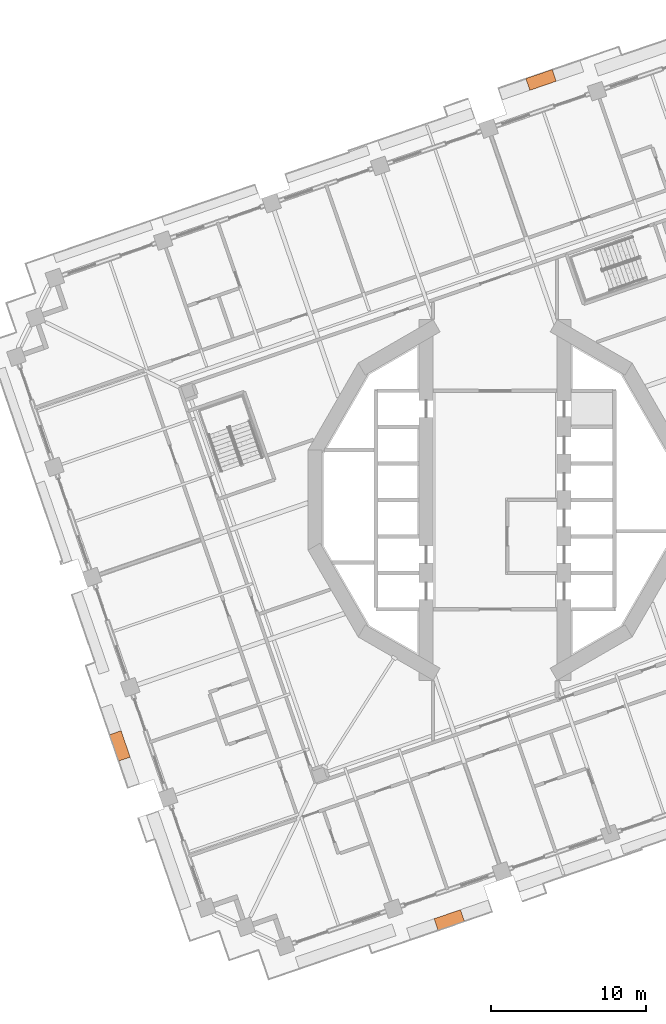
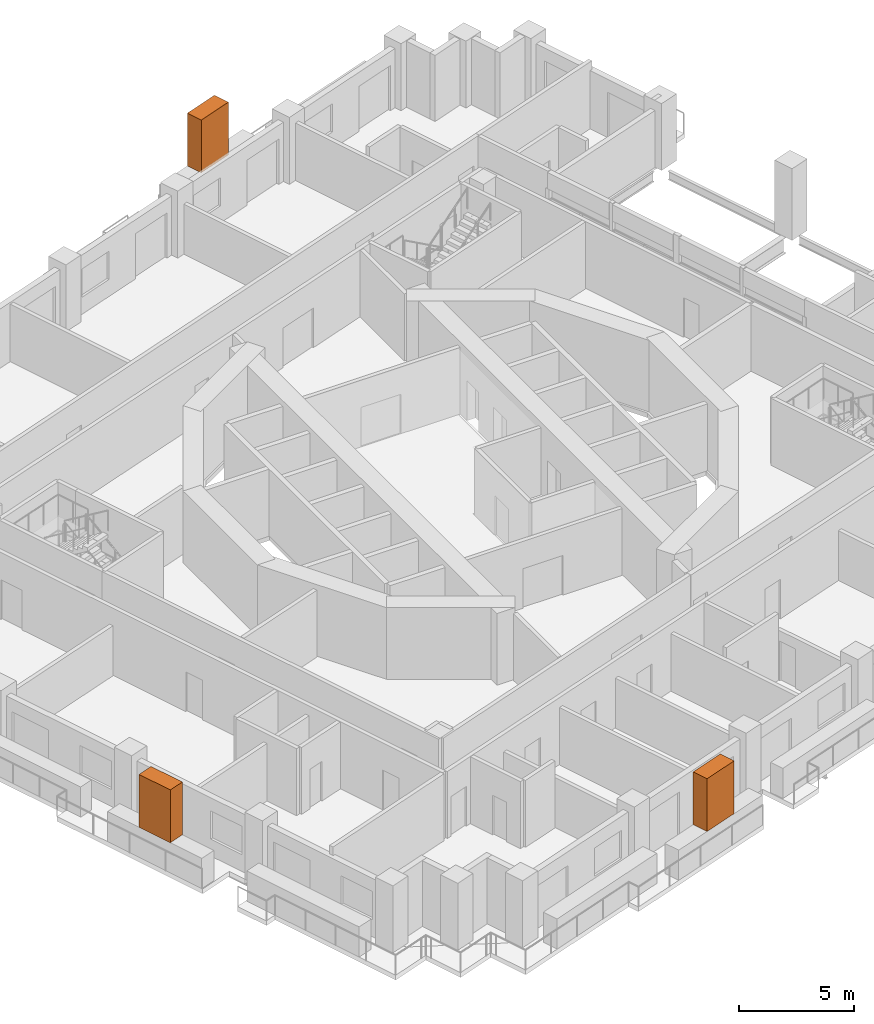
# One storey, part 19 of 19: 3 proxies.
"""IFC4 building model written with IfcOpenShell, lengths in metres."""

from ifc_helpers import new_model, si_unit, direction, frame, origin, origin_2d, place, context, subcontext, project, spatial, rectangle, extrude, element, save


model = new_model("IFC4")

# Units and contexts
model_context = context("Model", 3, precision=1e-05, world=origin(), true_north=direction((0.0, 1.0)))
body_context = subcontext(model_context, "Body", "Model", "MODEL_VIEW")
ifc_project = project(units=[si_unit("LENGTHUNIT", "METRE"), si_unit("AREAUNIT", "SQUARE_METRE"), si_unit("VOLUMEUNIT", "CUBIC_METRE"), si_unit("PLANEANGLEUNIT", "RADIAN"), si_unit("MASSUNIT", "GRAM", prefix="KILO")], contexts=[model_context])

# Site, building, storey
site_placement = place(None, origin())
site = spatial("IfcSite", under=ifc_project, at=site_placement, CompositionType="ELEMENT")
building_placement = place(site_placement, origin())
building = spatial("IfcBuilding", under=site, at=building_placement, Name="Cantera Rosa Tower", CompositionType="ELEMENT")
storey_placement = place(building_placement, frame((0.0, 0.0, 130.699951171875)))
storey = spatial("IfcBuildingStorey", under=building, at=storey_placement, Name="L27", CompositionType="ELEMENT", Elevation=130.699951171875)

# Proxies
for number, where, z_axis, x_axis, name in (
    (1, (2.960205078125, 27.109375, 1.60009765625), (0.0, 0.0, 1.0), (-0.945518575599, -0.325568154457, 0.0), "TREE L27-07"),
    (2, (-24.223876953125, -15.87109375, 1.60009765625), (0.0, 0.0, 1.0), (0.325568154457, -0.945518575599, 0.0), "TREE L27-15"),
    (3, (-2.960205078125, -27.109375, 1.60009765625), (0.0, 0.0, 1.0), (0.945518575599, 0.325568154457, 0.0), "TREE L27-18"),
):
    element("IfcBuildingElementProxy", number, at=place(storey_placement, frame(where, z_axis=z_axis, x_axis=x_axis)), inside=storey, Name=name, ObjectType="TREE", PredefinedType="USERDEFINED", context=body_context, shape_type="SweptSolid", body=[
        extrude(rectangle(XDim=1.800048828125, YDim=0.800048828125, at=origin_2d()), origin(), (0.0, 0.0, 1.0), 2.800048828125),
    ])

save(model, "model.ifc")
